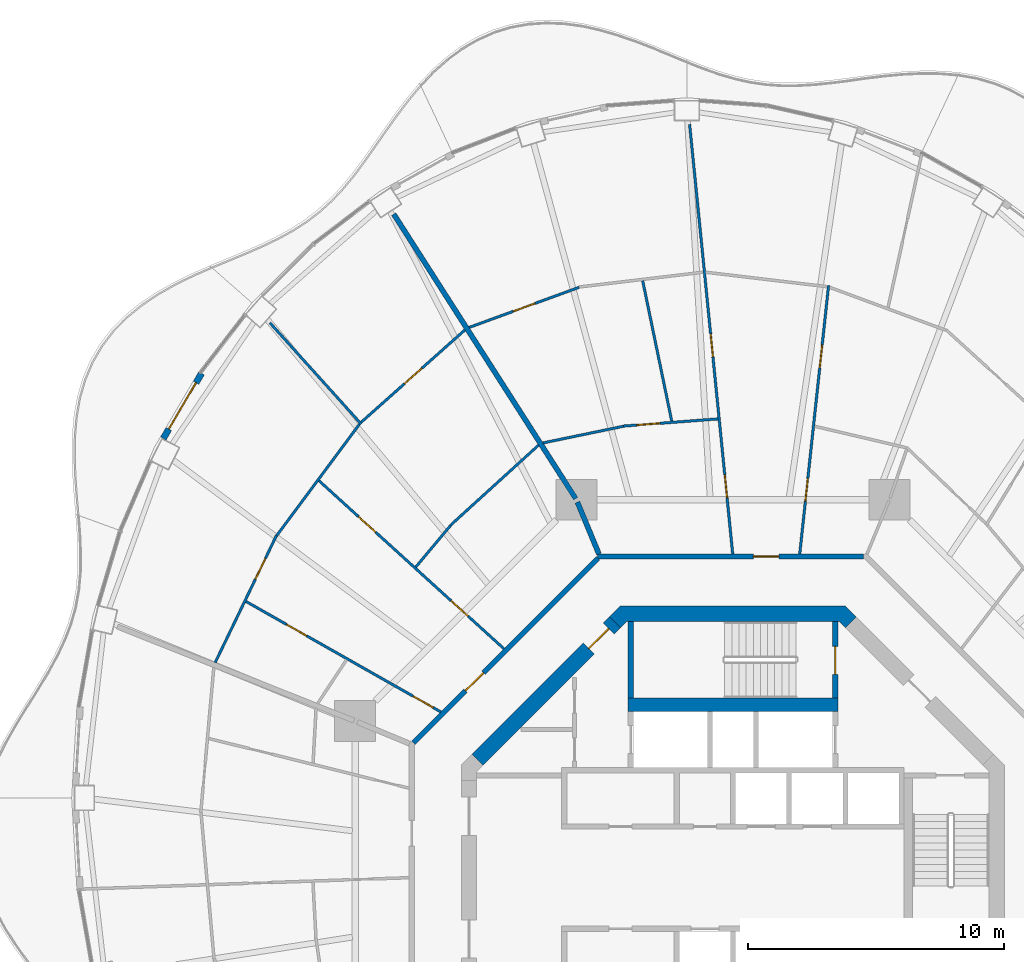
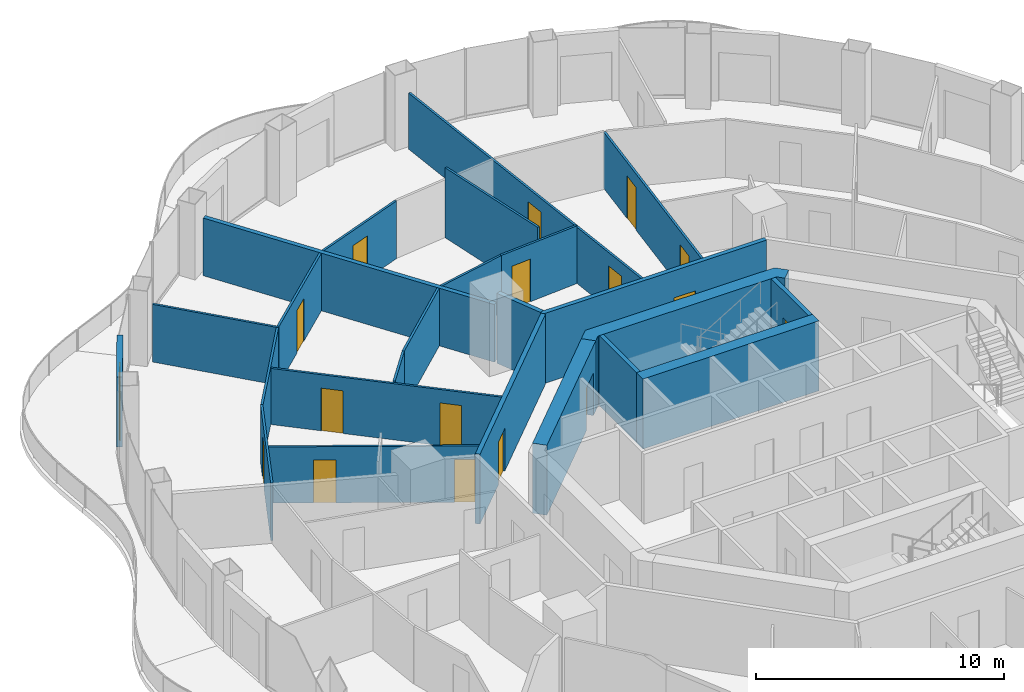
# One storey, part 13 of 18: 24 walls, 17 doors, 17 openings.
"""IFC4 building model written with IfcOpenShell, lengths in metres."""

from ifc_helpers import new_model, si_unit, direction, frame, frame_2d, origin, place, context, subcontext, project, spatial, polyline, rectangle, outline, extrude, material, layer, layer_set, type_object, element, fill, save


model = new_model("IFC4")

# Units and contexts
model_context = context("Model", 3, precision=1e-05, world=origin(), true_north=direction((0.0, 1.0)))
body_context = subcontext(model_context, "Body", "Model", "MODEL_VIEW")
ifc_project = project(units=[si_unit("LENGTHUNIT", "METRE"), si_unit("AREAUNIT", "SQUARE_METRE"), si_unit("VOLUMEUNIT", "CUBIC_METRE"), si_unit("PLANEANGLEUNIT", "RADIAN"), si_unit("MASSUNIT", "GRAM", prefix="KILO")], contexts=[model_context])

# Site, building, storey
site_placement = place(None, origin())
site = spatial("IfcSite", under=ifc_project, at=site_placement, CompositionType="ELEMENT")
building_placement = place(site_placement, origin())
building = spatial("IfcBuilding", under=site, at=building_placement, Name="Nagisa Residences", CompositionType="ELEMENT")
storey_placement = place(building_placement, frame((0.0, 0.0, 227.0)))
storey = spatial("IfcBuildingStorey", under=building, at=storey_placement, Name="L57", CompositionType="ELEMENT", Elevation=227.0)

# Walls
ifc_material_1 = material(Name="Gypsum board on steel studs", Category="steel")
ifc_layer_1 = layer(ifc_material_1, 0.199951171875)
ifc_layer_set_1 = layer_set([ifc_layer_1], Name="Apartment compartment wall EI60 200")
wall_type_1 = type_object("IfcWallType", Name="Apartment compartment wall EI60 200", PredefinedType="PARTITIONING", material=ifc_layer_set_1)
wall_1_placement = place(storey_placement, frame((-5.24267578125, 12.6572265625, 0.0), z_axis=(0.0, 0.0, 1.0), x_axis=(-0.382691608661, 0.923876145736, 0.0)))
element("IfcWall", 1, at=wall_1_placement, inside=storey, type_object=wall_type_1, Name="wall:L57:u00", PredefinedType="PARTITIONING", context=body_context, shape_type="SweptSolid", body=[
    extrude(rectangle(XDim=2.19970703125, YDim=0.199951171875, at=frame_2d((1.099853515625, 0.0))), origin(), (0.0, 0.0, 1.0), 3.43994140625),
])
wall_2_placement = place(storey_placement, frame((-6.14990234375, 14.82421875, 0.0), z_axis=(0.0, 0.0, 1.0), x_axis=(-0.538870687577, 0.842388498301, 0.0)))
element("IfcWall", 2, at=wall_2_placement, inside=storey, type_object=wall_type_1, Name="wall:L57:u01", PredefinedType="PARTITIONING", context=body_context, shape_type="SweptSolid", body=[
    extrude(rectangle(XDim=13.212646484375, YDim=0.199951171875, at=frame_2d((6.6064453125, 0.0))), origin(), (0.0, 0.0, 1.0), 2.8369140625),
])

# Wall, opening, door
ifc_material_2 = material(Name="Gypsum board on steel studs", Category="steel")
ifc_layer_2 = layer(ifc_material_2, 0.199951171875)
ifc_layer_set_2 = layer_set([ifc_layer_2], Name="Apartment entry wall EI60 200")
wall_type_2 = type_object("IfcWallType", Name="Apartment entry wall EI60 200", PredefinedType="PARTITIONING", material=ifc_layer_set_2)
wall_3_placement = place(storey_placement, frame((5.1044921875, 12.564697265625, 0.0), z_axis=(0.0, 0.0, 1.0), x_axis=(-1.0, 0.0, 0.0)))
wall_3 = element("IfcWall", 3, at=wall_3_placement, inside=storey, type_object=wall_type_2, Name="wall:L57:u10", PredefinedType="PARTITIONING", context=body_context, shape_type="SweptSolid", body=[
    extrude(rectangle(XDim=10.408935546875, YDim=0.199951171875, at=frame_2d((5.20458984375, 0.0))), origin(), (0.0, 0.0, 1.0), 3.43994140625),
])
opening_1_placement = place(wall_3_placement, frame((3.303466796875, 0.0, 0.0)))
opening_1 = element("IfcOpeningElement", 4, at=opening_1_placement, cuts=wall_3, Name="Opening L57-U31", PredefinedType="OPENING", context=body_context, shape_type="SweptSolid", body=[
    extrude(rectangle(XDim=1.0, YDim=2.10009765625, at=frame_2d((0.5, 1.050048828125))), frame((0.0, 0.10986328125, 0.0), z_axis=(0.0, -1.0, 0.0), x_axis=(1.0, 0.0, 0.0)), (0.0, 0.0, 1.0), 0.219970703125),
])
ifc_material_3 = material(Name="Timber fire door set", Category="wood")
door_type_1 = type_object("IfcDoorType", Name="Apartment entry door FD30S 1000x2100", OperationType="NOTDEFINED", PredefinedType="DOOR", material=ifc_material_3)
door_1_placement = place(opening_1_placement, frame((1.0, 0.0, 0.0), x_axis=(-1.0, 0.0, 0.0)))
door_1 = element("IfcDoor", 5, at=door_1_placement, inside=storey, type_object=door_type_1, Name="Entry door, Apartment 57D", OperationType="SINGLE_SWING_RIGHT", OverallHeight=2.10009765625, OverallWidth=1.0, PredefinedType="DOOR", context=body_context, shape_type="SweptSolid", body=[
    extrude(rectangle(XDim=1.0, YDim=2.10009765625, at=frame_2d((0.5, 1.050048828125))), frame((0.0, 0.02490234375, 0.0), z_axis=(0.0, -1.0, 0.0), x_axis=(1.0, 0.0, 0.0)), (0.0, 0.0, 1.0), 0.050048828125),
])
fill(opening_1, door_1)

wall_4_placement = place(storey_placement, frame((-5.275146484375, 12.494140625, 0.0), z_axis=(0.0, 0.0, 1.0), x_axis=(-0.707106781187, -0.707106781187, 0.0)))
wall_4 = element("IfcWall", 6, at=wall_4_placement, inside=storey, type_object=wall_type_2, Name="wall:L57:u11", PredefinedType="PARTITIONING", context=body_context, shape_type="SweptSolid", body=[
    extrude(rectangle(XDim=10.209228515625, YDim=0.199951171875, at=frame_2d((5.1044921875, 0.0))), origin(), (0.0, 0.0, 1.0), 3.43994140625),
])
opening_2_placement = place(wall_4_placement, frame((6.33935546875, 0.0, 0.0)))
opening_2 = element("IfcOpeningElement", 7, at=opening_2_placement, cuts=wall_4, Name="Opening L57-U01", PredefinedType="OPENING", context=body_context, shape_type="SweptSolid", body=[
    extrude(rectangle(XDim=1.0, YDim=2.10009765625, at=frame_2d((0.5, 1.050048828125))), frame((0.0, 0.10986328125, 0.0), z_axis=(0.0, -1.0, 0.0), x_axis=(1.0, 0.0, 0.0)), (0.0, 0.0, 1.0), 0.219970703125),
])
door_2_placement = place(opening_2_placement, frame((1.0, 0.0, 0.0), x_axis=(-1.0, 0.0, 0.0)))
door_2 = element("IfcDoor", 8, at=door_2_placement, inside=storey, type_object=door_type_1, Name="Entry door, Apartment 57A", OperationType="SINGLE_SWING_RIGHT", OverallHeight=2.10009765625, OverallWidth=1.0, PredefinedType="DOOR", context=body_context, shape_type="SweptSolid", body=[
    extrude(rectangle(XDim=1.0, YDim=2.10009765625, at=frame_2d((0.5, 1.050048828125))), frame((0.0, 0.02490234375, 0.0), z_axis=(0.0, -1.0, 0.0), x_axis=(1.0, 0.0, 0.0)), (0.0, 0.0, 1.0), 0.050048828125),
])
fill(opening_2, door_2)

# Wall, openings, doors
ifc_material_4 = material(Name="Gypsum board on steel studs", Category="steel")
ifc_layer_3 = layer(ifc_material_4, 0.10009765625)
ifc_layer_set_3 = layer_set([ifc_layer_3], Name="Apartment partition 100")
wall_type_3 = type_object("IfcWallType", Name="Apartment partition 100", PredefinedType="PARTITIONING", material=ifc_layer_set_3)
wall_5_placement = place(storey_placement, frame((2.613037109375, 12.664306640625, 0.0), z_axis=(0.0, 0.0, 1.0), x_axis=(0.106823825758, 0.994277964279, 0.0)))
wall_5 = element("IfcWall", 9, at=wall_5_placement, inside=storey, type_object=wall_type_3, Name="wall:L57:u37", PredefinedType="PARTITIONING", context=body_context, shape_type="SweptSolid", body=[
    extrude(rectangle(XDim=10.556396484375, YDim=0.10009765625, at=frame_2d((5.2783203125, 0.0))), origin(), (0.0, 0.0, 1.0), 2.761962890625),
])
opening_3_placement = place(wall_5_placement, frame((2.066162109375, 0.0, 0.0)))
opening_3 = element("IfcOpeningElement", 10, at=opening_3_placement, cuts=wall_5, Name="Opening L57-U32", PredefinedType="OPENING", context=body_context, shape_type="SweptSolid", body=[
    extrude(rectangle(XDim=0.89990234375, YDim=2.10009765625, at=frame_2d((0.449951171875, 1.050048828125))), frame((0.0, 0.06005859375, 0.0), z_axis=(0.0, -1.0, 0.0), x_axis=(1.0, 0.0, 0.0)), (0.0, 0.0, 1.0), 0.1201171875),
])
opening_4_placement = place(wall_5_placement, frame((7.319580078125, 0.0, 0.0)))
opening_4 = element("IfcOpeningElement", 11, at=opening_4_placement, cuts=wall_5, Name="Opening L57-U34", PredefinedType="OPENING", context=body_context, shape_type="SweptSolid", body=[
    extrude(rectangle(XDim=0.89990234375, YDim=2.10009765625, at=frame_2d((0.449951171875, 1.050048828125))), frame((0.0, 0.06005859375, 0.0), z_axis=(0.0, -1.0, 0.0), x_axis=(1.0, 0.0, 0.0)), (0.0, 0.0, 1.0), 0.1201171875),
])
ifc_material_5 = material(Name="Timber door set", Category="wood")
door_type_2 = type_object("IfcDoorType", Name="Apartment door 900x2100", OperationType="NOTDEFINED", PredefinedType="DOOR", material=ifc_material_5)
door_3_placement = place(opening_3_placement, frame((0.89990234375, 0.0, 0.0), x_axis=(-1.0, 0.0, 0.0)))
door_3 = element("IfcDoor", 12, at=door_3_placement, inside=storey, type_object=door_type_2, Name="Door to laundry, Apartment 57D", OperationType="SINGLE_SWING_LEFT", OverallHeight=2.10009765625, OverallWidth=0.89990234375, PredefinedType="DOOR", context=body_context, shape_type="SweptSolid", body=[
    extrude(rectangle(XDim=0.89990234375, YDim=2.10009765625, at=frame_2d((0.449951171875, 1.050048828125))), frame((0.0, 0.02490234375, 0.0), z_axis=(0.0, -1.0, 0.0), x_axis=(1.0, 0.0, 0.0)), (0.0, 0.0, 1.0), 0.050048828125),
])
fill(opening_3, door_3)
door_4_placement = place(opening_4_placement, frame((0.89990234375, 0.0, 0.0), x_axis=(-1.0, 0.0, 0.0)))
door_4 = element("IfcDoor", 13, at=door_4_placement, inside=storey, type_object=door_type_2, Name="Door to family room, Apartment 57D", OperationType="SINGLE_SWING_LEFT", OverallHeight=2.10009765625, OverallWidth=0.89990234375, PredefinedType="DOOR", context=body_context, shape_type="SweptSolid", body=[
    extrude(rectangle(XDim=0.89990234375, YDim=2.10009765625, at=frame_2d((0.449951171875, 1.050048828125))), frame((0.0, 0.02490234375, 0.0), z_axis=(0.0, -1.0, 0.0), x_axis=(1.0, 0.0, 0.0)), (0.0, 0.0, 1.0), 0.050048828125),
])
fill(opening_4, door_4)

wall_6_placement = place(storey_placement, frame((-0.010009765625, 12.664306640625, 0.0), z_axis=(0.0, 0.0, 1.0), x_axis=(-0.099808591851, 0.995006655753, 0.0)))
wall_6 = element("IfcWall", 14, at=wall_6_placement, inside=storey, type_object=wall_type_3, Name="wall:L57:u39", PredefinedType="PARTITIONING", context=body_context, shape_type="SweptSolid", body=[
    extrude(rectangle(XDim=16.8876953125, YDim=0.10009765625, at=frame_2d((8.44384765625, 0.0))), origin(), (0.0, 0.0, 1.0), 2.761962890625),
])
opening_5_placement = place(wall_6_placement, frame((2.204833984375, 0.0, 0.0)))
opening_5 = element("IfcOpeningElement", 15, at=opening_5_placement, cuts=wall_6, Name="Opening L57-U33", PredefinedType="OPENING", context=body_context, shape_type="SweptSolid", body=[
    extrude(rectangle(XDim=0.89990234375, YDim=2.10009765625, at=frame_2d((0.449951171875, 1.050048828125))), frame((0.0, 0.06005859375, 0.0), z_axis=(0.0, -1.0, 0.0), x_axis=(1.0, 0.0, 0.0)), (0.0, 0.0, 1.0), 0.1201171875),
])
opening_6_placement = place(wall_6_placement, frame((7.7451171875, 0.0, 0.0)))
opening_6 = element("IfcOpeningElement", 16, at=opening_6_placement, cuts=wall_6, Name="Opening L57-U35", PredefinedType="OPENING", context=body_context, shape_type="SweptSolid", body=[
    extrude(rectangle(XDim=0.89990234375, YDim=2.10009765625, at=frame_2d((0.449951171875, 1.050048828125))), frame((0.0, 0.06005859375, 0.0), z_axis=(0.0, -1.0, 0.0), x_axis=(1.0, 0.0, 0.0)), (0.0, 0.0, 1.0), 0.1201171875),
])
door_5_placement = place(opening_5_placement, origin())
door_5 = element("IfcDoor", 17, at=door_5_placement, inside=storey, type_object=door_type_2, Name="Door to store, Apartment 57D", OperationType="SINGLE_SWING_LEFT", OverallHeight=2.10009765625, OverallWidth=0.89990234375, PredefinedType="DOOR", context=body_context, shape_type="SweptSolid", body=[
    extrude(rectangle(XDim=0.89990234375, YDim=2.10009765625, at=frame_2d((0.449951171875, 1.050048828125))), frame((0.0, 0.02490234375, 0.0), z_axis=(0.0, -1.0, 0.0), x_axis=(1.0, 0.0, 0.0)), (0.0, 0.0, 1.0), 0.050048828125),
])
fill(opening_5, door_5)
door_6_placement = place(opening_6_placement, origin())
door_6 = element("IfcDoor", 18, at=door_6_placement, inside=storey, type_object=door_type_2, Name="Door to family bathroom, Apartment 57D", OperationType="SINGLE_SWING_LEFT", OverallHeight=2.10009765625, OverallWidth=0.89990234375, PredefinedType="DOOR", context=body_context, shape_type="SweptSolid", body=[
    extrude(rectangle(XDim=0.89990234375, YDim=2.10009765625, at=frame_2d((0.449951171875, 1.050048828125))), frame((0.0, 0.02490234375, 0.0), z_axis=(0.0, -1.0, 0.0), x_axis=(1.0, 0.0, 0.0)), (0.0, 0.0, 1.0), 0.050048828125),
])
fill(opening_6, door_6)

# Wall, opening, door
wall_7_placement = place(storey_placement, frame((-0.58984375, 17.94384765625, 0.0), z_axis=(0.0, 0.0, 1.0), x_axis=(-0.997133495787, -0.075662352452, 0.0)))
wall_7 = element("IfcWall", 19, at=wall_7_placement, inside=storey, type_object=wall_type_3, Name="wall:L57:u40", PredefinedType="PARTITIONING", context=body_context, shape_type="SweptSolid", body=[
    extrude(rectangle(XDim=3.700927734375, YDim=0.10009765625, at=frame_2d((1.8505859375, 0.0))), origin(), (0.0, 0.0, 1.0), 2.8369140625),
])
opening_7_placement = place(wall_7_placement, frame((2.27587890625, 0.0, 0.0)))
opening_7 = element("IfcOpeningElement", 20, at=opening_7_placement, cuts=wall_7, Name="Opening L57-U36", PredefinedType="OPENING", context=body_context, shape_type="SweptSolid", body=[
    extrude(rectangle(XDim=0.89990234375, YDim=2.10009765625, at=frame_2d((0.449951171875, 1.050048828125))), frame((0.0, 0.06005859375, 0.0), z_axis=(0.0, -1.0, 0.0), x_axis=(1.0, 0.0, 0.0)), (0.0, 0.0, 1.0), 0.1201171875),
])
door_7_placement = place(opening_7_placement, frame((0.89990234375, 0.0, 0.0), x_axis=(-1.0, 0.0, 0.0)))
door_7 = element("IfcDoor", 21, at=door_7_placement, inside=storey, type_object=door_type_2, Name="Door to family room, Apartment 57D", OperationType="SINGLE_SWING_LEFT", OverallHeight=2.10009765625, OverallWidth=0.89990234375, PredefinedType="DOOR", context=body_context, shape_type="SweptSolid", body=[
    extrude(rectangle(XDim=0.89990234375, YDim=2.10009765625, at=frame_2d((0.449951171875, 1.050048828125))), frame((0.0, 0.02490234375, 0.0), z_axis=(0.0, -1.0, 0.0), x_axis=(1.0, 0.0, 0.0)), (0.0, 0.0, 1.0), 0.050048828125),
])
fill(opening_7, door_7)

# Walls
wall_8_placement = place(storey_placement, frame((-2.395263671875, 17.856689453125, 0.0), z_axis=(0.0, 0.0, 1.0), x_axis=(-0.20251351451, 0.979279467997, 0.0)))
element("IfcWall", 22, at=wall_8_placement, inside=storey, type_object=wall_type_3, Name="wall:L57:u42", PredefinedType="PARTITIONING", context=body_context, shape_type="SweptSolid", body=[
    extrude(rectangle(XDim=5.610595703125, YDim=0.10009765625, at=frame_2d((2.80517578125, 0.0))), origin(), (0.0, 0.0, 1.0), 3.43994140625),
])
wall_9_placement = place(storey_placement, frame((-4.279541015625, 17.657470703125, 0.0), z_axis=(0.0, 0.0, 1.0), x_axis=(-0.979195545385, -0.202918909661, 0.0)))
element("IfcWall", 23, at=wall_9_placement, inside=storey, type_object=wall_type_3, Name="wall:L57:u43", PredefinedType="PARTITIONING", context=body_context, shape_type="SweptSolid", body=[
    extrude(rectangle(XDim=3.220703125, YDim=0.10009765625, at=frame_2d((1.6103515625, 0.0))), origin(), (0.0, 0.0, 1.0), 2.8369140625),
])

# Wall, opening, door
wall_10_placement = place(storey_placement, frame((-6.01416015625, 23.093505859375, 0.0), z_axis=(0.0, 0.0, 1.0), x_axis=(-0.939433575811, -0.342731026665, 0.0)))
wall_10 = element("IfcWall", 24, at=wall_10_placement, inside=storey, type_object=wall_type_3, Name="wall:L57:u44", PredefinedType="PARTITIONING", context=body_context, shape_type="SweptSolid", body=[
    extrude(rectangle(XDim=4.58251953125, YDim=0.10009765625, at=frame_2d((2.291259765625, 0.0))), origin(), (0.0, 0.0, 1.0), 2.8369140625),
])
opening_8_placement = place(wall_10_placement, frame((1.84130859375, 0.0, 0.0)))
opening_8 = element("IfcOpeningElement", 25, at=opening_8_placement, cuts=wall_10, Name="Opening L57-U39", PredefinedType="OPENING", context=body_context, shape_type="SweptSolid", body=[
    extrude(rectangle(XDim=0.89990234375, YDim=2.10009765625, at=frame_2d((0.449951171875, 1.050048828125))), frame((0.0, 0.06005859375, 0.0), z_axis=(0.0, -1.0, 0.0), x_axis=(1.0, 0.0, 0.0)), (0.0, 0.0, 1.0), 0.1201171875),
])
door_8_placement = place(opening_8_placement, frame((0.89990234375, 0.0, 0.0), x_axis=(-1.0, 0.0, 0.0)))
door_8 = element("IfcDoor", 26, at=door_8_placement, inside=storey, type_object=door_type_2, Name="Door to living room, Apartment 57D", OperationType="SINGLE_SWING_RIGHT", OverallHeight=2.10009765625, OverallWidth=0.89990234375, PredefinedType="DOOR", context=body_context, shape_type="SweptSolid", body=[
    extrude(rectangle(XDim=0.89990234375, YDim=2.10009765625, at=frame_2d((0.449951171875, 1.050048828125))), frame((0.0, 0.02490234375, 0.0), z_axis=(0.0, -1.0, 0.0), x_axis=(1.0, 0.0, 0.0)), (0.0, 0.0, 1.0), 0.050048828125),
])
fill(opening_8, door_8)

# Wall
wall_11_placement = place(storey_placement, frame((-7.605224609375, 16.91650390625, 0.0), z_axis=(0.0, 0.0, 1.0), x_axis=(-0.739828340504, -0.672795679673, 0.0)))
element("IfcWall", 27, at=wall_11_placement, inside=storey, type_object=wall_type_3, Name="wall:L57:u45", PredefinedType="PARTITIONING", context=body_context, shape_type="SweptSolid", body=[
    extrude(rectangle(XDim=4.647216796875, YDim=0.10009765625, at=frame_2d((2.32373046875, 0.0))), origin(), (0.0, 0.0, 1.0), 2.8369140625),
])

# Wall, opening, door
wall_12_placement = place(storey_placement, frame((-10.48779296875, 21.422119140625, 0.0), z_axis=(0.0, 0.0, 1.0), x_axis=(-0.747148551049, -0.664657086523, 0.0)))
wall_12 = element("IfcWall", 28, at=wall_12_placement, inside=storey, type_object=wall_type_3, Name="wall:L57:u46", PredefinedType="PARTITIONING", context=body_context, shape_type="SweptSolid", body=[
    extrude(rectangle(XDim=5.4248046875, YDim=0.10009765625, at=frame_2d((2.71240234375, 0.0))), origin(), (0.0, 0.0, 1.0), 2.8369140625),
])
opening_9_placement = place(wall_12_placement, frame((2.262451171875, 0.0, 0.0)))
opening_9 = element("IfcOpeningElement", 29, at=opening_9_placement, cuts=wall_12, Name="Opening L57-U06", PredefinedType="OPENING", context=body_context, shape_type="SweptSolid", body=[
    extrude(rectangle(XDim=0.89990234375, YDim=2.10009765625, at=frame_2d((0.449951171875, 1.050048828125))), frame((0.0, 0.06005859375, 0.0), z_axis=(0.0, -1.0, 0.0), x_axis=(1.0, 0.0, 0.0)), (0.0, 0.0, 1.0), 0.1201171875),
])
door_9_placement = place(opening_9_placement, frame((0.89990234375, 0.0, 0.0), x_axis=(-1.0, 0.0, 0.0)))
door_9 = element("IfcDoor", 30, at=door_9_placement, inside=storey, type_object=door_type_2, Name="Door to master bedroom, Apartment 57A", OperationType="SINGLE_SWING_LEFT", OverallHeight=2.10009765625, OverallWidth=0.89990234375, PredefinedType="DOOR", context=body_context, shape_type="SweptSolid", body=[
    extrude(rectangle(XDim=0.89990234375, YDim=2.10009765625, at=frame_2d((0.449951171875, 1.050048828125))), frame((0.0, 0.02490234375, 0.0), z_axis=(0.0, -1.0, 0.0), x_axis=(1.0, 0.0, 0.0)), (0.0, 0.0, 1.0), 0.050048828125),
])
fill(opening_9, door_9)

# Walls
wall_13_placement = place(storey_placement, frame((-11.03857421875, 13.78515625, 0.0), z_axis=(0.0, 0.0, 1.0), x_axis=(-0.642323585424, -0.766433566337, 0.0)))
element("IfcWall", 31, at=wall_13_placement, inside=storey, type_object=wall_type_3, Name="wall:L57:u47", PredefinedType="PARTITIONING", context=body_context, shape_type="SweptSolid", body=[
    extrude(rectangle(XDim=2.13037109375, YDim=0.10009765625, at=frame_2d((1.065185546875, 0.0))), origin(), (0.0, 0.0, 1.0), 2.8369140625),
])
wall_14_placement = place(storey_placement, frame((-14.544921875, 17.74609375, 0.0), z_axis=(0.0, 0.0, 1.0), x_axis=(-0.669829144173, 0.742515264232, 0.0)))
element("IfcWall", 32, at=wall_14_placement, inside=storey, type_object=wall_type_3, Name="wall:L57:u48", PredefinedType="PARTITIONING", context=body_context, shape_type="SweptSolid", body=[
    extrude(rectangle(XDim=5.333740234375, YDim=0.10009765625, at=frame_2d((2.6669921875, 0.0))), origin(), (0.0, 0.0, 1.0), 2.8369140625),
])
wall_15_placement = place(storey_placement, frame((-14.608154296875, 17.7431640625, 0.0), z_axis=(0.0, 0.0, 1.0), x_axis=(-0.596174489482, -0.8028548923, 0.0)))
element("IfcWall", 33, at=wall_15_placement, inside=storey, type_object=wall_type_3, Name="wall:L57:u49", PredefinedType="PARTITIONING", context=body_context, shape_type="SweptSolid", body=[
    extrude(rectangle(XDim=5.44189453125, YDim=0.10009765625, at=frame_2d((2.720947265625, 0.0))), origin(), (0.0, 0.0, 1.0), 2.8369140625),
])

# Wall, openings, doors
wall_16_placement = place(storey_placement, frame((-8.958740234375, 8.951904296875, 0.0), z_axis=(0.0, 0.0, 1.0), x_axis=(-0.740140081805, 0.672452719011, 0.0)))
wall_16 = element("IfcWall", 34, at=wall_16_placement, inside=storey, type_object=wall_type_3, Name="wall:L57:u50", PredefinedType="PARTITIONING", context=body_context, shape_type="SweptSolid", body=[
    extrude(rectangle(XDim=9.774658203125, YDim=0.10009765625, at=frame_2d((4.88720703125, 0.0))), origin(), (0.0, 0.0, 1.0), 2.761962890625),
])
opening_10_placement = place(wall_16_placement, frame((1.901123046875, 0.0, 0.0)))
opening_10 = element("IfcOpeningElement", 35, at=opening_10_placement, cuts=wall_16, Name="Opening L57-U02", PredefinedType="OPENING", context=body_context, shape_type="SweptSolid", body=[
    extrude(rectangle(XDim=0.89990234375, YDim=2.10009765625, at=frame_2d((0.449951171875, 1.050048828125))), frame((0.0, 0.06005859375, 0.0), z_axis=(0.0, -1.0, 0.0), x_axis=(1.0, 0.0, 0.0)), (0.0, 0.0, 1.0), 0.1201171875),
])
opening_11_placement = place(wall_16_placement, frame((6.78857421875, 0.0, 0.0)))
opening_11 = element("IfcOpeningElement", 36, at=opening_11_placement, cuts=wall_16, Name="Opening L57-U04", PredefinedType="OPENING", context=body_context, shape_type="SweptSolid", body=[
    extrude(rectangle(XDim=0.89990234375, YDim=2.10009765625, at=frame_2d((0.449951171875, 1.050048828125))), frame((0.0, 0.06005859375, 0.0), z_axis=(0.0, -1.0, 0.0), x_axis=(1.0, 0.0, 0.0)), (0.0, 0.0, 1.0), 0.1201171875),
])
door_10_placement = place(opening_10_placement, frame((0.89990234375, 0.0, 0.0), x_axis=(-1.0, 0.0, 0.0)))
door_10 = element("IfcDoor", 37, at=door_10_placement, inside=storey, type_object=door_type_2, Name="Door to store, Apartment 57A", OperationType="SINGLE_SWING_LEFT", OverallHeight=2.10009765625, OverallWidth=0.89990234375, PredefinedType="DOOR", context=body_context, shape_type="SweptSolid", body=[
    extrude(rectangle(XDim=0.89990234375, YDim=2.10009765625, at=frame_2d((0.449951171875, 1.050048828125))), frame((0.0, 0.02490234375, 0.0), z_axis=(0.0, -1.0, 0.0), x_axis=(1.0, 0.0, 0.0)), (0.0, 0.0, 1.0), 0.050048828125),
])
fill(opening_10, door_10)
door_11_placement = place(opening_11_placement, frame((0.89990234375, 0.0, 0.0), x_axis=(-1.0, 0.0, 0.0)))
door_11 = element("IfcDoor", 38, at=door_11_placement, inside=storey, type_object=door_type_2, Name="Door to kitchen, Apartment 57A", OperationType="SINGLE_SWING_LEFT", OverallHeight=2.10009765625, OverallWidth=0.89990234375, PredefinedType="DOOR", context=body_context, shape_type="SweptSolid", body=[
    extrude(rectangle(XDim=0.89990234375, YDim=2.10009765625, at=frame_2d((0.449951171875, 1.050048828125))), frame((0.0, 0.02490234375, 0.0), z_axis=(0.0, -1.0, 0.0), x_axis=(1.0, 0.0, 0.0)), (0.0, 0.0, 1.0), 0.050048828125),
])
fill(opening_11, door_11)

# Wall, opening, door
wall_17_placement = place(storey_placement, frame((-17.860595703125, 13.37890625, 0.0), z_axis=(0.0, 0.0, 1.0), x_axis=(-0.434302390612, -0.900767136117, 0.0)))
wall_17 = element("IfcWall", 39, at=wall_17_placement, inside=storey, type_object=wall_type_3, Name="wall:L57:u51", PredefinedType="PARTITIONING", context=body_context, shape_type="SweptSolid", body=[
    extrude(rectangle(XDim=5.5185546875, YDim=0.10009765625, at=frame_2d((2.75927734375, 0.0))), origin(), (0.0, 0.0, 1.0), 2.8369140625),
])
opening_12_placement = place(wall_17_placement, frame((0.9921875, 0.0, 0.0)))
opening_12 = element("IfcOpeningElement", 40, at=opening_12_placement, cuts=wall_17, Name="Opening L57-U07", PredefinedType="OPENING", context=body_context, shape_type="SweptSolid", body=[
    extrude(rectangle(XDim=0.89990234375, YDim=2.10009765625, at=frame_2d((0.449951171875, 1.050048828125))), frame((0.0, 0.06005859375, 0.0), z_axis=(0.0, -1.0, 0.0), x_axis=(1.0, 0.0, 0.0)), (0.0, 0.0, 1.0), 0.1201171875),
])
door_12_placement = place(opening_12_placement, frame((0.89990234375, 0.0, 0.0), x_axis=(-1.0, 0.0, 0.0)))
door_12 = element("IfcDoor", 41, at=door_12_placement, inside=storey, type_object=door_type_2, Name="Door to family room, Apartment 57A", OperationType="SINGLE_SWING_RIGHT", OverallHeight=2.10009765625, OverallWidth=0.89990234375, PredefinedType="DOOR", context=body_context, shape_type="SweptSolid", body=[
    extrude(rectangle(XDim=0.89990234375, YDim=2.10009765625, at=frame_2d((0.449951171875, 1.050048828125))), frame((0.0, 0.02490234375, 0.0), z_axis=(0.0, -1.0, 0.0), x_axis=(1.0, 0.0, 0.0)), (0.0, 0.0, 1.0), 0.050048828125),
])
fill(opening_12, door_12)

# Wall, openings, doors
wall_18_placement = place(storey_placement, frame((-11.425048828125, 6.48046875, 0.0), z_axis=(0.0, 0.0, 1.0), x_axis=(-0.869969596547, 0.493105365094, 0.0)))
wall_18 = element("IfcWall", 42, at=wall_18_placement, inside=storey, type_object=wall_type_3, Name="wall:L57:u52", PredefinedType="PARTITIONING", context=body_context, shape_type="SweptSolid", body=[
    extrude(rectangle(XDim=8.762451171875, YDim=0.10009765625, at=frame_2d((4.38134765625, 0.0))), origin(), (0.0, 0.0, 1.0), 2.761962890625),
])
opening_13_placement = place(wall_18_placement, frame((0.35009765625, 0.0, 0.0)))
opening_13 = element("IfcOpeningElement", 43, at=opening_13_placement, cuts=wall_18, Name="Opening L57-U03", PredefinedType="OPENING", context=body_context, shape_type="SweptSolid", body=[
    extrude(rectangle(XDim=0.89990234375, YDim=2.10009765625, at=frame_2d((0.449951171875, 1.050048828125))), frame((0.0, 0.06005859375, 0.0), z_axis=(0.0, -1.0, 0.0), x_axis=(1.0, 0.0, 0.0)), (0.0, 0.0, 1.0), 0.1201171875),
])
opening_14_placement = place(wall_18_placement, frame((6.037841796875, 0.0, 0.0)))
opening_14 = element("IfcOpeningElement", 44, at=opening_14_placement, cuts=wall_18, Name="Opening L57-U05", PredefinedType="OPENING", context=body_context, shape_type="SweptSolid", body=[
    extrude(rectangle(XDim=0.89990234375, YDim=2.10009765625, at=frame_2d((0.449951171875, 1.050048828125))), frame((0.0, 0.06005859375, 0.0), z_axis=(0.0, -1.0, 0.0), x_axis=(1.0, 0.0, 0.0)), (0.0, 0.0, 1.0), 0.1201171875),
])
door_13_placement = place(opening_13_placement, origin())
door_13 = element("IfcDoor", 45, at=door_13_placement, inside=storey, type_object=door_type_2, Name="Door to family bathroom, Apartment 57A", OperationType="SINGLE_SWING_LEFT", OverallHeight=2.10009765625, OverallWidth=0.89990234375, PredefinedType="DOOR", context=body_context, shape_type="SweptSolid", body=[
    extrude(rectangle(XDim=0.89990234375, YDim=2.10009765625, at=frame_2d((0.449951171875, 1.050048828125))), frame((0.0, 0.02490234375, 0.0), z_axis=(0.0, -1.0, 0.0), x_axis=(1.0, 0.0, 0.0)), (0.0, 0.0, 1.0), 0.050048828125),
])
fill(opening_13, door_13)
door_14_placement = place(opening_14_placement, origin())
door_14 = element("IfcDoor", 46, at=door_14_placement, inside=storey, type_object=door_type_2, Name="Door to family bathroom, Apartment 57A", OperationType="SINGLE_SWING_LEFT", OverallHeight=2.10009765625, OverallWidth=0.89990234375, PredefinedType="DOOR", context=body_context, shape_type="SweptSolid", body=[
    extrude(rectangle(XDim=0.89990234375, YDim=2.10009765625, at=frame_2d((0.449951171875, 1.050048828125))), frame((0.0, 0.02490234375, 0.0), z_axis=(0.0, -1.0, 0.0), x_axis=(1.0, 0.0, 0.0)), (0.0, 0.0, 1.0), 0.050048828125),
])
fill(opening_14, door_14)

# Wall, opening, door
ifc_material_6 = material(Name="Precast concrete C40/50", Category="concrete")
ifc_layer_4 = layer(ifc_material_6, 0.25)
ifc_layer_set_4 = layer_set([ifc_layer_4], Name="BALCONY DOOR WALL 250")
wall_type_4 = type_object("IfcWallType", Name="BALCONY DOOR WALL 250", PredefinedType="SOLIDWALL", material=ifc_layer_set_4)
wall_19_placement = place(storey_placement, frame((-22.2841796875, 17.1806640625, 0.0), z_axis=(0.0, 0.0, 1.0), x_axis=(0.506330171469, 0.862339699573, 0.0)))
wall_19 = element("IfcWall", 47, at=wall_19_placement, inside=storey, type_object=wall_type_4, Name="wall:L57:bay19", PredefinedType="SOLIDWALL", context=body_context, shape_type="SweptSolid", body=[
    extrude(rectangle(XDim=2.954345703125, YDim=0.25, at=frame_2d((1.47705078125, 0.0))), origin(), (0.0, 0.0, 1.0), 3.43994140625),
])
opening_15_placement = place(wall_19_placement, frame((0.42724609375, 0.0, 0.0)))
opening_15 = element("IfcOpeningElement", 48, at=opening_15_placement, cuts=wall_19, Name="Opening BD-L57-07", PredefinedType="OPENING", context=body_context, shape_type="SweptSolid", body=[
    extrude(rectangle(XDim=2.10009765625, YDim=2.39990234375, at=frame_2d((1.050048828125, 1.199951171875))), frame((0.0, 0.135009765625, 0.0), z_axis=(0.0, -1.0, 0.0), x_axis=(1.0, 0.0, 0.0)), (0.0, 0.0, 1.0), 0.27001953125),
])
ifc_material_7 = material(Name="Aluminium and clear glass", Category="aluminium")
door_type_3 = type_object("IfcDoorType", Name="BALCONY SLIDING DOOR 2100x2400", OperationType="SLIDING_TO_LEFT", PredefinedType="DOOR", material=ifc_material_7)
door_15_placement = place(opening_15_placement, origin())
door_15 = element("IfcDoor", 49, at=door_15_placement, inside=storey, type_object=door_type_3, Name="door:L57:bay19", OperationType="SLIDING_TO_LEFT", OverallHeight=2.39990234375, OverallWidth=2.10009765625, PredefinedType="DOOR", context=body_context, shape_type="SweptSolid", body=[
    extrude(rectangle(XDim=2.10009765625, YDim=2.39990234375, at=frame_2d((1.050048828125, 1.199951171875))), frame((0.0, 0.02490234375, 0.0), z_axis=(0.0, -1.0, 0.0), x_axis=(1.0, 0.0, 0.0)), (0.0, 0.0, 1.0), 0.050048828125),
])
fill(opening_15, door_15)

ifc_material_8 = material(Name="Concrete C60", Category="concrete")
ifc_layer_5 = layer(ifc_material_8, 0.60009765625)
ifc_layer_set_5 = layer_set([ifc_layer_5], Name="Core shear wall 600")
wall_type_5 = type_object("IfcWallType", Name="Core shear wall 600", PredefinedType="SHEAR", material=ifc_layer_set_5)
wall_20_placement = place(storey_placement, frame((-4.613037109375, 9.98828125, 0.0), z_axis=(0.0, 0.0, 1.0), x_axis=(-0.707106781187, -0.707106781187, 0.0)))
wall_20 = element("IfcWall", 50, at=wall_20_placement, inside=storey, type_object=wall_type_5, Name="wall:L57:core:flat3", PredefinedType="SHEAR", context=body_context, shape_type="SweptSolid", body=[
    extrude(rectangle(XDim=7.601806640625, YDim=0.60009765625, at=frame_2d((3.80078125, 0.0))), origin(), (0.0, 0.0, 1.0), 3.43994140625),
])
opening_16_placement = place(wall_20_placement, frame((0.350830078125, 0.0, 0.0)))
opening_16 = element("IfcOpeningElement", 51, at=opening_16_placement, cuts=wall_20, Name="Opening L57-C22", PredefinedType="OPENING", context=body_context, shape_type="SweptSolid", body=[
    extrude(rectangle(XDim=1.10009765625, YDim=2.10009765625, at=frame_2d((0.550048828125, 1.050048828125))), frame((0.0, 0.31005859375, 0.0), z_axis=(0.0, -1.0, 0.0), x_axis=(1.0, 0.0, 0.0)), (0.0, 0.0, 1.0), 0.6201171875),
])
ifc_material_9 = material(Name="Steel fire door", Category="steel")
door_type_4 = type_object("IfcDoorType", Name="Fire door EI60 1100x2100 single swing", OperationType="NOTDEFINED", PredefinedType="DOOR", material=ifc_material_9)
door_16_placement = place(opening_16_placement, origin())
door_16 = element("IfcDoor", 52, at=door_16_placement, inside=storey, type_object=door_type_4, Name="Service lobby door L57", OperationType="SINGLE_SWING_LEFT", OverallHeight=2.10009765625, OverallWidth=1.10009765625, PredefinedType="DOOR", context=body_context, shape_type="SweptSolid", body=[
    extrude(rectangle(XDim=1.10009765625, YDim=2.10009765625, at=frame_2d((0.550048828125, 1.050048828125))), frame((0.0, 0.02490234375, 0.0), z_axis=(0.0, -1.0, 0.0), x_axis=(1.0, 0.0, 0.0)), (0.0, 0.0, 1.0), 0.050048828125),
])
fill(opening_16, door_16)

# Wall
wall_21_placement = place(storey_placement, origin())
element("IfcWall", 53, at=wall_21_placement, inside=storey, type_object=wall_type_5, Name="wall:L57:core:flat2", PredefinedType="SHEAR", context=body_context, shape_type="SweptSolid", body=[
    extrude(outline(polyline([(-4.15234375, 10.024658203125), (-4.40087890625, 9.776123046875), (-4.8251953125, 10.200439453125), (-4.40087890625, 10.62451171875), (4.40087890625, 10.62451171875), (4.8251953125, 10.200439453125), (4.40087890625, 9.776123046875), (4.15234375, 10.024658203125), (-4.15234375, 10.024658203125)])), origin(), (0.0, 0.0, 1.0), 3.43994140625),
])

# Wall, opening, door
ifc_material_10 = material(Name="Concrete C60", Category="concrete")
ifc_layer_6 = layer(ifc_material_10, 0.199951171875)
ifc_layer_set_6 = layer_set([ifc_layer_6], Name="Stair enclosure wall 200")
wall_type_6 = type_object("IfcWallType", Name="Stair enclosure wall 200", PredefinedType="SOLIDWALL", material=ifc_layer_set_6)
wall_22_placement = place(storey_placement, frame((4.0, 7.024658203125, 0.0), z_axis=(0.0, 0.0, 1.0), x_axis=(0.0, 1.0, 0.0)))
wall_22 = element("IfcWall", 54, at=wall_22_placement, inside=storey, type_object=wall_type_6, Name="wall:L57:SN_e", PredefinedType="SOLIDWALL", context=body_context, shape_type="SweptSolid", body=[
    extrude(rectangle(XDim=3.0, YDim=0.199951171875, at=frame_2d((1.5, 0.0))), origin(), (0.0, 0.0, 1.0), 3.43994140625),
])
opening_17_placement = place(wall_22_placement, frame((0.92529296875, 0.0, 0.0)))
opening_17 = element("IfcOpeningElement", 55, at=opening_17_placement, cuts=wall_22, Name="Opening L57-C09", PredefinedType="OPENING", context=body_context, shape_type="SweptSolid", body=[
    extrude(rectangle(XDim=1.10009765625, YDim=2.10009765625, at=frame_2d((0.550048828125, 1.050048828125))), frame((0.0, 0.10986328125, 0.0), z_axis=(0.0, -1.0, 0.0), x_axis=(1.0, 0.0, 0.0)), (0.0, 0.0, 1.0), 0.219970703125),
])
ifc_material_11 = material(Name="Steel fire door", Category="steel")
door_type_5 = type_object("IfcDoorType", Name="Fire door EI90 1100x2100 single swing", OperationType="NOTDEFINED", PredefinedType="DOOR", material=ifc_material_11)
door_17_placement = place(opening_17_placement, origin())
door_17 = element("IfcDoor", 56, at=door_17_placement, inside=storey, type_object=door_type_5, Name="Stair door ST-N L57", OperationType="SINGLE_SWING_RIGHT", OverallHeight=2.10009765625, OverallWidth=1.10009765625, PredefinedType="DOOR", context=body_context, shape_type="SweptSolid", body=[
    extrude(rectangle(XDim=1.10009765625, YDim=2.10009765625, at=frame_2d((0.550048828125, 1.050048828125))), frame((0.0, 0.02490234375, 0.0), z_axis=(0.0, -1.0, 0.0), x_axis=(1.0, 0.0, 0.0)), (0.0, 0.0, 1.0), 0.050048828125),
])
fill(opening_17, door_17)

# Walls
wall_23_placement = place(storey_placement, origin())
element("IfcWall", 57, at=wall_23_placement, inside=storey, type_object=wall_type_6, Name="wall:L57:SN_w", PredefinedType="SOLIDWALL", context=body_context, shape_type="SweptSolid", body=[
    extrude(outline(polyline([(-3.89990234375, 7.024658203125), (-4.10009765625, 7.024658203125), (-4.10009765625, 10.024658203125), (-3.89990234375, 10.024658203125), (-3.89990234375, 7.024658203125)])), origin(), (0.0, 0.0, 1.0), 3.43994140625),
])
wall_24_placement = place(storey_placement, origin())
element("IfcWall", 58, at=wall_24_placement, inside=storey, type_object=wall_type_6, Name="wall:L57:SN_s", PredefinedType="SOLIDWALL", context=body_context, shape_type="SweptSolid", body=[
    extrude(outline(polyline([(4.10009765625, 6.5), (-4.10009765625, 6.5), (-4.10009765625, 7.024658203125), (4.10009765625, 7.024658203125), (4.10009765625, 6.5)])), origin(), (0.0, 0.0, 1.0), 3.43994140625),
])

save(model, "model.ifc")
